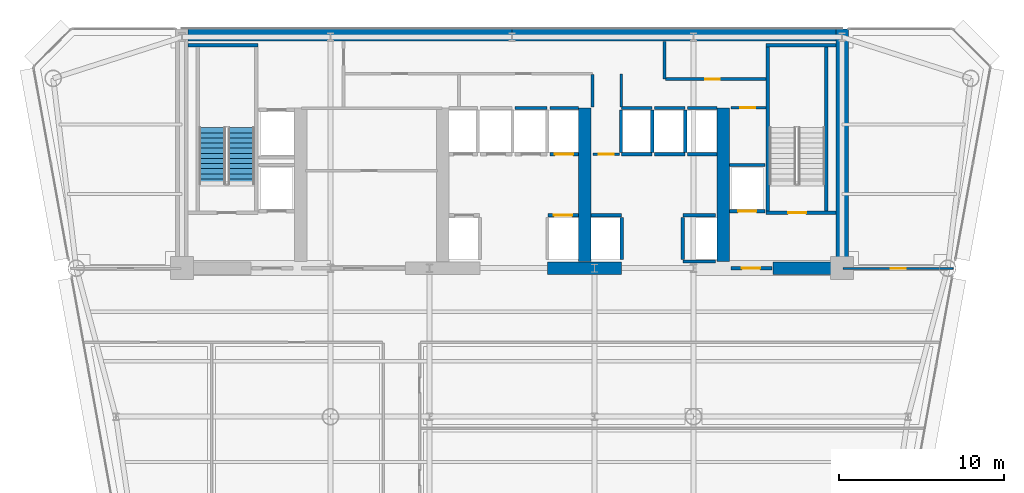
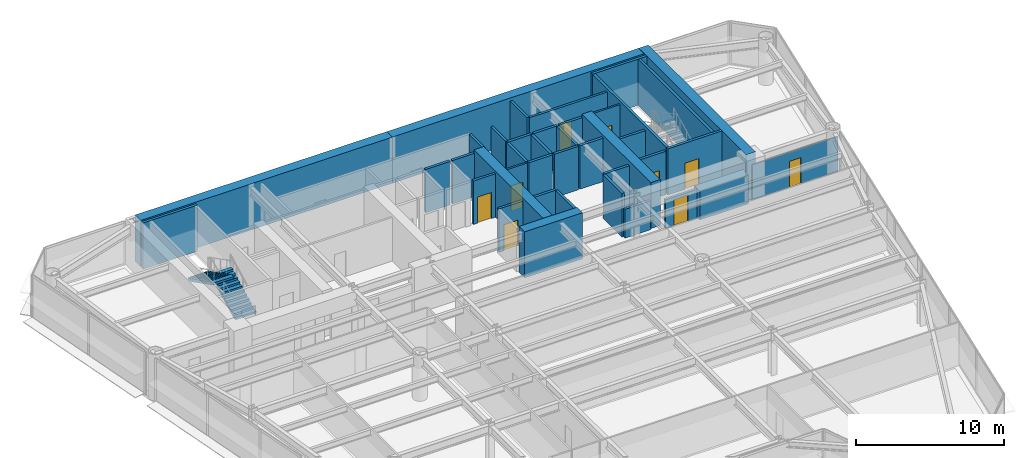
# One storey, part 9 of 14: 40 walls, 9 doors, 2 stair flights, 9 openings, 1 element without a shape of its own.
"""IFC4 building model written with IfcOpenShell, lengths in metres."""

from ifc_helpers import new_model, si_unit, direction, frame, frame_2d, origin, place, context, subcontext, project, spatial, polyline, rectangle, outline, extrude, source, transform, mapped, material, layer, layer_set, type_object, element, fill, aggregate, save


model = new_model("IFC4")

# Units and contexts
model_context = context("Model", 3, precision=1e-05, world=origin(), true_north=direction((0.0, 1.0)))
body_context = subcontext(model_context, "Body", "Model", "MODEL_VIEW")
ifc_project = project(units=[si_unit("LENGTHUNIT", "METRE"), si_unit("AREAUNIT", "SQUARE_METRE"), si_unit("VOLUMEUNIT", "CUBIC_METRE"), si_unit("PLANEANGLEUNIT", "RADIAN"), si_unit("MASSUNIT", "GRAM", prefix="KILO")], contexts=[model_context])

# Site, building, storey
site_placement = place(None, origin())
site = spatial("IfcSite", under=ifc_project, at=site_placement, CompositionType="ELEMENT")
building_placement = place(site_placement, origin())
building = spatial("IfcBuilding", under=site, at=building_placement, Name="Vaeldorn Concourse Tower", CompositionType="ELEMENT")
storey_placement = place(building_placement, frame((0.0, 0.0, 122.39990234375)))
storey = spatial("IfcBuildingStorey", under=building, at=storey_placement, Name="L31", CompositionType="ELEMENT", Elevation=122.39990234375)

# Walls
ifc_material_1 = material(Name="Concrete C60/75", Category="concrete")
ifc_layer_1 = layer(ifc_material_1, 0.75)
ifc_layer_set_1 = layer_set([ifc_layer_1], Name="Concrete C60/75")
wall_type_1 = type_object("IfcWallType", Name="WL-CORE-750", PredefinedType="SHEAR", material=ifc_layer_set_1)
for number, where, z_axis, x_axis, name in (
    (1, (14.37890625, 50.625, 0.0), (0.0, 0.0, 1.0), (1.0, 0.0, 0.0), "Rear Core Shear Wall L31 N1"),
    (2, (34.001953125, 50.625, 0.0), (0.0, 0.0, 1.0), (1.0, 0.0, 0.0), "Rear Core Shear Wall L31 N2"),
):
    element("IfcWall", number, at=place(storey_placement, frame(where, z_axis=z_axis, x_axis=x_axis)), inside=storey, type_object=wall_type_1, Name=name, PredefinedType="SHEAR", context=body_context, shape_type="SweptSolid", body=[
        extrude(rectangle(XDim=19.619140625, YDim=0.75, at=frame_2d((9.8095703125, 0.0))), origin(), (0.0, 0.0, 1.0), 3.800048828125),
    ])
wall_1_placement = place(storey_placement, frame((54.0, 36.5, 0.0), z_axis=(0.0, 0.0, 1.0), x_axis=(0.0, 1.0, 0.0)))
element("IfcWall", 3, at=wall_1_placement, inside=storey, type_object=wall_type_1, Name="Rear Core Shear Wall L31 E1", PredefinedType="SHEAR", context=body_context, shape_type="SweptSolid", body=[
    extrude(rectangle(XDim=14.5, YDim=0.75, at=frame_2d((7.25, 0.0))), origin(), (0.0, 0.0, 1.0), 3.800048828125),
])
wall_2_placement = place(storey_placement, frame((36.14990234375, 36.5, 0.0), z_axis=(0.0, 0.0, 1.0), x_axis=(1.0, 0.0, 0.0)))
element("IfcWall", 4, at=wall_2_placement, inside=storey, type_object=wall_type_1, Name="Rear Core Shear Wall L31 S3", PredefinedType="SHEAR", context=body_context, shape_type="SweptSolid", body=[
    extrude(rectangle(XDim=4.5, YDim=0.75, at=frame_2d((2.25, 0.0))), origin(), (0.0, 0.0, 1.0), 3.800048828125),
])
wall_3_placement = place(storey_placement, frame((49.800048828125, 36.5, 0.0), z_axis=(0.0, 0.0, 1.0), x_axis=(1.0, 0.0, 0.0)))
element("IfcWall", 5, at=wall_3_placement, inside=storey, type_object=wall_type_1, Name="Rear Core Shear Wall L31 S4", PredefinedType="SHEAR", context=body_context, shape_type="SweptSolid", body=[
    extrude(rectangle(XDim=3.804931640625, YDim=0.75, at=frame_2d((1.90234375, 0.0))), origin(), (0.0, 0.0, 1.0), 2.380126953125),
])
for number, where, z_axis, x_axis, name in (
    (6, (38.39990234375, 36.89501953125, 0.0), (0.0, 0.0, 1.0), (0.0, 1.0, 0.0), "Rear Core Shear Wall L31 M3"),
    (7, (46.800048828125, 36.89501953125, 0.0), (0.0, 0.0, 1.0), (0.0, 1.0, 0.0), "Rear Core Shear Wall L31 M4"),
):
    element("IfcWall", number, at=place(storey_placement, frame(where, z_axis=z_axis, x_axis=x_axis)), inside=storey, type_object=wall_type_1, Name=name, PredefinedType="SHEAR", context=body_context, shape_type="SweptSolid", body=[
        extrude(rectangle(XDim=9.304931640625, YDim=0.75, at=frame_2d((4.65234375, 0.0))), origin(), (0.0, 0.0, 1.0), 3.800048828125),
    ])

# Wall, opening, door
ifc_material_2 = material(Name="Gypsum Board Partition", Category="gypsum")
ifc_layer_2 = layer(ifc_material_2, 0.1201171875)
ifc_layer_set_2 = layer_set([ifc_layer_2], Name="Gypsum Board Partition")
wall_type_2 = type_object("IfcWallType", Name="WL-PART-120", PredefinedType="PARTITIONING", material=ifc_layer_set_2)
wall_4_placement = place(storey_placement, frame((54.06005859375, 36.47998046875, 0.0), z_axis=(0.0, 0.0, 1.0), x_axis=(1.0, 0.0, 0.0)))
wall_4 = element("IfcWall", 8, at=wall_4_placement, inside=storey, type_object=wall_type_2, Name="Interior Wall PW-L31-NES", PredefinedType="PARTITIONING", context=body_context, shape_type="SweptSolid", body=[
    extrude(rectangle(XDim=6.671875, YDim=0.1201171875, at=frame_2d((3.3359375, 0.0))), origin(), (0.0, 0.0, 1.0), 2.8701171875),
])
opening_1_placement = place(wall_4_placement, frame((2.885986328125, 0.0, 0.0)))
opening_1 = element("IfcOpeningElement", 9, at=opening_1_placement, cuts=wall_4, Name="Opening D-03", PredefinedType="OPENING", context=body_context, shape_type="SweptSolid", body=[
    extrude(rectangle(XDim=0.89990234375, YDim=2.14990234375, at=frame_2d((0.449951171875, 1.074951171875))), frame((0.0, 0.070068359375, 0.0), z_axis=(0.0, -1.0, 0.0), x_axis=(1.0, 0.0, 0.0)), (0.0, 0.0, 1.0), 0.14013671875),
])
ifc_material_3 = material(Name="Acoustic Bronze-Framed Glass Door", Category="glass")
door_type_1 = type_object("IfcDoorType", Name="DR-INT-900", OperationType="NOTDEFINED", PredefinedType="DOOR", material=ifc_material_3)
shared_shape_1 = source(origin(), body_context, "Body", "SweptSolid", [
    extrude(rectangle(XDim=0.89990234375, YDim=2.14990234375, at=frame_2d((0.449951171875, 1.074951171875))), frame((0.0, 0.02490234375, 0.0), z_axis=(0.0, -1.0, 0.0), x_axis=(1.0, 0.0, 0.0)), (0.0, 0.0, 1.0), 0.050048828125),
])
door_1_placement = place(opening_1_placement, origin())
door_1 = element("IfcDoor", 10, at=door_1_placement, inside=storey, type_object=door_type_1, Name="Interior Door DR-L31-NEC", OperationType="SINGLE_SWING_RIGHT", OverallHeight=2.14990234375, OverallWidth=0.89990234375, PredefinedType="DOOR", context=body_context, shape_type="MappedRepresentation", body=[
    mapped(shared_shape_1, transform((0.0, 0.0, 0.0), scale=1.0)),
])
fill(opening_1, door_1)

ifc_layer_3 = layer(ifc_material_2, 0.14990234375)
ifc_layer_set_3 = layer_set([ifc_layer_3], Name="Gypsum Board Partition")
wall_type_3 = type_object("IfcWallType", Name="WL-PART-150", PredefinedType="PARTITIONING", material=ifc_layer_set_3)
wall_5_placement = place(storey_placement, frame((47.280029296875, 46.219970703125, 0.0), z_axis=(0.0, 0.0, 1.0), x_axis=(1.0, 0.0, 0.0)))
wall_5 = element("IfcWall", 11, at=wall_5_placement, inside=storey, type_object=wall_type_3, Name="Interior Wall CW-L31-CRSE-N", PredefinedType="PARTITIONING", context=body_context, shape_type="SweptSolid", body=[
    extrude(rectangle(XDim=2.099853515625, YDim=0.14990234375, at=frame_2d((1.0498046875, 0.0))), origin(), (0.0, 0.0, 1.0), 3.580078125),
])
opening_2_placement = place(wall_5_placement, frame((0.550048828125, 0.0, 0.0)))
opening_2 = element("IfcOpeningElement", 12, at=opening_2_placement, cuts=wall_5, Name="Opening D-02", PredefinedType="OPENING", context=body_context, shape_type="SweptSolid", body=[
    extrude(rectangle(XDim=0.89990234375, YDim=2.10009765625, at=frame_2d((0.449951171875, 1.050048828125))), frame((0.0, 0.0849609375, 0.0), z_axis=(0.0, -1.0, 0.0), x_axis=(1.0, 0.0, 0.0)), (0.0, 0.0, 1.0), 0.169921875),
])
ifc_material_4 = material(Name="Fire-Rated Timber Leaf", Category="wood")
door_type_2 = type_object("IfcDoorType", Name="DR-FD30-900", OperationType="NOTDEFINED", PredefinedType="DOOR", material=ifc_material_4)
shared_shape_2 = source(origin(), body_context, "Body", "SweptSolid", [
    extrude(rectangle(XDim=0.89990234375, YDim=2.10009765625, at=frame_2d((0.449951171875, 1.050048828125))), frame((0.0, 0.02490234375, 0.0), z_axis=(0.0, -1.0, 0.0), x_axis=(1.0, 0.0, 0.0)), (0.0, 0.0, 1.0), 0.050048828125),
])
door_2_placement = place(opening_2_placement, origin())
door_2 = element("IfcDoor", 13, at=door_2_placement, inside=storey, type_object=door_type_2, Name="Interior Door DR-L31-CRSE", OperationType="SINGLE_SWING_RIGHT", OverallHeight=2.10009765625, OverallWidth=0.89990234375, PredefinedType="DOOR", context=body_context, shape_type="MappedRepresentation", body=[
    mapped(shared_shape_2, transform((0.0, 0.0, 0.0), scale=1.0)),
])
fill(opening_2, door_2)

wall_6_placement = place(storey_placement, frame((38.919921875, 43.39990234375, 0.0), z_axis=(0.0, 0.0, 1.0), x_axis=(1.0, 0.0, 0.0)))
wall_6 = element("IfcWall", 14, at=wall_6_placement, inside=storey, type_object=wall_type_3, Name="Interior Wall CW-L31-CCLINK", PredefinedType="PARTITIONING", context=body_context, shape_type="SweptSolid", body=[
    extrude(rectangle(XDim=1.60009765625, YDim=0.14990234375, at=frame_2d((0.800048828125, 0.0))), origin(), (0.0, 0.0, 1.0), 3.580078125),
])
opening_3_placement = place(wall_6_placement, frame((0.35009765625, 0.0, 0.0)))
opening_3 = element("IfcOpeningElement", 15, at=opening_3_placement, cuts=wall_6, Name="Opening D-02", PredefinedType="OPENING", context=body_context, shape_type="SweptSolid", body=[
    extrude(rectangle(XDim=0.89990234375, YDim=2.10009765625, at=frame_2d((0.449951171875, 1.050048828125))), frame((0.0, 0.0849609375, 0.0), z_axis=(0.0, -1.0, 0.0), x_axis=(1.0, 0.0, 0.0)), (0.0, 0.0, 1.0), 0.169921875),
])
door_3_placement = place(opening_3_placement, origin())
door_3 = element("IfcDoor", 16, at=door_3_placement, inside=storey, type_object=door_type_2, Name="Interior Door DR-L31-CCLINK", OperationType="SINGLE_SWING_LEFT", OverallHeight=2.10009765625, OverallWidth=0.89990234375, PredefinedType="DOOR", context=body_context, shape_type="MappedRepresentation", body=[
    mapped(shared_shape_2, transform((0.0, 0.0, 0.0), scale=1.0)),
])
fill(opening_3, door_3)

# Walls
ifc_layer_4 = layer(ifc_material_2, 0.179931640625)
ifc_layer_set_4 = layer_set([ifc_layer_4], Name="Gypsum Board Partition")
wall_type_4 = type_object("IfcWallType", Name="WL-PLUMB-180", PredefinedType="PLUMBINGWALL", material=ifc_layer_set_4)
wall_7_placement = place(storey_placement, frame((38.8798828125, 46.280029296875, 0.0), z_axis=(0.0, 0.0, 1.0), x_axis=(0.0, 1.0, 0.0)))
element("IfcWall", 17, at=wall_7_placement, inside=storey, type_object=wall_type_4, Name="Interior Wall CW-L31-SDIV4", PredefinedType="PLUMBINGWALL", context=body_context, shape_type="SweptSolid", body=[
    extrude(rectangle(XDim=1.93994140625, YDim=0.179931640625, at=frame_2d((0.969970703125, 0.0))), origin(), (0.0, 0.0, 1.0), 3.580078125),
])
wall_8_placement = place(storey_placement, frame((40.6201171875, 46.280029296875, 0.0), z_axis=(0.0, 0.0, 1.0), x_axis=(0.0, 1.0, 0.0)))
element("IfcWall", 18, at=wall_8_placement, inside=storey, type_object=wall_type_4, Name="Interior Wall CW-L31-SDIV5", PredefinedType="PLUMBINGWALL", context=body_context, shape_type="SweptSolid", body=[
    extrude(rectangle(XDim=2.0, YDim=0.179931640625, at=frame_2d((1.0, 0.0))), origin(), (0.0, 0.0, 1.0), 3.580078125),
])
wall_9_placement = place(storey_placement, frame((43.25, 47.949951171875, 0.0), z_axis=(0.0, 0.0, 1.0), x_axis=(0.0, 1.0, 0.0)))
element("IfcWall", 19, at=wall_9_placement, inside=storey, type_object=wall_type_4, Name="Interior Wall CW-L31-SDIV6", PredefinedType="PLUMBINGWALL", context=body_context, shape_type="SweptSolid", body=[
    extrude(rectangle(XDim=2.280029296875, YDim=0.179931640625, at=frame_2d((1.14013671875, 0.0))), origin(), (0.0, 0.0, 1.0), 3.580078125),
])

# Wall, opening, door
wall_10_placement = place(storey_placement, frame((43.300048828125, 47.949951171875, 0.0), z_axis=(0.0, 0.0, 1.0), x_axis=(1.0, 0.0, 0.0)))
wall_10 = element("IfcWall", 20, at=wall_10_placement, inside=storey, type_object=wall_type_4, Name="Interior Wall CW-L31-NS2EE", PredefinedType="PLUMBINGWALL", context=body_context, shape_type="SweptSolid", body=[
    extrude(rectangle(XDim=6.079833984375, YDim=0.179931640625, at=frame_2d((3.0400390625, 0.0))), origin(), (0.0, 0.0, 1.0), 3.580078125),
])
opening_4_placement = place(wall_10_placement, frame((2.39990234375, 0.0, 0.0)))
opening_4 = element("IfcOpeningElement", 21, at=opening_4_placement, cuts=wall_10, Name="Opening D-03", PredefinedType="OPENING", context=body_context, shape_type="SweptSolid", body=[
    extrude(rectangle(XDim=0.89990234375, YDim=2.14990234375, at=frame_2d((0.449951171875, 1.074951171875))), frame((0.0, 0.10009765625, 0.0), z_axis=(0.0, -1.0, 0.0), x_axis=(1.0, 0.0, 0.0)), (0.0, 0.0, 1.0), 0.199951171875),
])
door_4_placement = place(opening_4_placement, origin())
door_4 = element("IfcDoor", 22, at=door_4_placement, inside=storey, type_object=door_type_1, Name="Interior Door DR-L31-CS5", OperationType="SINGLE_SWING_RIGHT", OverallHeight=2.14990234375, OverallWidth=0.89990234375, PredefinedType="DOOR", context=body_context, shape_type="MappedRepresentation", body=[
    mapped(shared_shape_1, transform((0.0, 0.0, 0.0), scale=1.0)),
])
fill(opening_4, door_4)

# Wall
ifc_material_5 = material(Name="Concrete C50/60", Category="concrete")
ifc_layer_5 = layer(ifc_material_5, 0.199951171875)
ifc_layer_set_5 = layer_set([ifc_layer_5], Name="Concrete C50/60")
wall_type_5 = type_object("IfcWallType", Name="WL-SHAFT-200", PredefinedType="SOLIDWALL", material=ifc_layer_set_5)
wall_11_placement = place(storey_placement, frame((14.375, 50.0, 0.0), z_axis=(0.0, 0.0, 1.0), x_axis=(1.0, 0.0, 0.0)))
element("IfcWall", 23, at=wall_11_placement, inside=storey, type_object=wall_type_5, Name="Stair Shaft Wall CW-L31-ST-1-N", PredefinedType="SOLIDWALL", context=body_context, shape_type="SweptSolid", body=[
    extrude(rectangle(XDim=4.22509765625, YDim=0.199951171875, at=frame_2d((2.112548828125, 0.0))), origin(), (0.0, 0.0, 1.0), 3.800048828125),
])

# Wall, opening, door
wall_12_placement = place(storey_placement, frame((49.39990234375, 39.85009765625, 0.0), z_axis=(0.0, 0.0, 1.0), x_axis=(1.0, 0.0, 0.0)))
wall_12 = element("IfcWall", 24, at=wall_12_placement, inside=storey, type_object=wall_type_5, Name="Stair Shaft Wall CW-L31-ST-2-S", PredefinedType="SOLIDWALL", context=body_context, shape_type="SweptSolid", body=[
    extrude(rectangle(XDim=4.22509765625, YDim=0.199951171875, at=frame_2d((2.112548828125, 0.0))), origin(), (0.0, 0.0, 1.0), 3.800048828125),
])
opening_5_placement = place(wall_12_placement, frame((1.324951171875, 0.0, 0.0)))
opening_5 = element("IfcOpeningElement", 25, at=opening_5_placement, cuts=wall_12, Name="Opening D-01", PredefinedType="OPENING", context=body_context, shape_type="SweptSolid", body=[
    extrude(rectangle(XDim=1.10009765625, YDim=2.14990234375, at=frame_2d((0.550048828125, 1.074951171875))), frame((0.0, 0.10986328125, 0.0), z_axis=(0.0, -1.0, 0.0), x_axis=(1.0, 0.0, 0.0)), (0.0, 0.0, 1.0), 0.219970703125),
])
ifc_material_6 = material(Name="Fire-Rated Timber and Steel Leaf", Category="steel")
door_type_3 = type_object("IfcDoorType", Name="DR-FD60-1100", OperationType="NOTDEFINED", PredefinedType="DOOR", material=ifc_material_6)
shared_shape_3 = source(origin(), body_context, "Body", "SweptSolid", [
    extrude(rectangle(XDim=1.10009765625, YDim=2.14990234375, at=frame_2d((0.550048828125, 1.074951171875))), frame((0.0, 0.02490234375, 0.0), z_axis=(0.0, -1.0, 0.0), x_axis=(1.0, 0.0, 0.0)), (0.0, 0.0, 1.0), 0.050048828125),
])
door_5_placement = place(opening_5_placement, origin())
door_5 = element("IfcDoor", 26, at=door_5_placement, inside=storey, type_object=door_type_3, Name="Interior Door DR-L31-ST-2", OperationType="SINGLE_SWING_RIGHT", OverallHeight=2.14990234375, OverallWidth=1.10009765625, PredefinedType="DOOR", context=body_context, shape_type="MappedRepresentation", body=[
    mapped(shared_shape_3, transform((0.0, 0.0, 0.0), scale=1.0)),
])
fill(opening_5, door_5)

# Walls
wall_13_placement = place(storey_placement, frame((49.39990234375, 50.0, 0.0), z_axis=(0.0, 0.0, 1.0), x_axis=(1.0, 0.0, 0.0)))
element("IfcWall", 27, at=wall_13_placement, inside=storey, type_object=wall_type_5, Name="Stair Shaft Wall CW-L31-ST-2-N", PredefinedType="SOLIDWALL", context=body_context, shape_type="SweptSolid", body=[
    extrude(rectangle(XDim=4.22509765625, YDim=0.199951171875, at=frame_2d((2.112548828125, 0.0))), origin(), (0.0, 0.0, 1.0), 3.800048828125),
])
for number, where, z_axis, x_axis, name in (
    (28, (49.5, 39.9599609375, 0.0), (0.0, 0.0, 1.0), (0.0, 1.0, 0.0), "Stair Shaft Wall CW-L31-ST-2-W"),
    (29, (53.050048828125, 39.9599609375, 0.0), (0.0, 0.0, 1.0), (0.0, 1.0, 0.0), "Stair Shaft Wall CW-L31-ST-2-E"),
):
    element("IfcWall", number, at=place(storey_placement, frame(where, z_axis=z_axis, x_axis=x_axis)), inside=storey, type_object=wall_type_5, Name=name, PredefinedType="SOLIDWALL", context=body_context, shape_type="SweptSolid", body=[
        extrude(rectangle(XDim=9.929931640625, YDim=0.199951171875, at=frame_2d((4.96484375, 0.0))), origin(), (0.0, 0.0, 1.0), 3.800048828125),
    ])

# Wall, opening, door
wall_14_placement = place(storey_placement, frame((47.280029296875, 36.5, 0.0), z_axis=(0.0, 0.0, 1.0), x_axis=(1.0, 0.0, 0.0)))
wall_14 = element("IfcWall", 30, at=wall_14_placement, inside=storey, type_object=wall_type_5, Name="Interior Wall CW-L31-FF2S", PredefinedType="SOLIDWALL", context=body_context, shape_type="SweptSolid", body=[
    extrude(rectangle(XDim=2.469970703125, YDim=0.199951171875, at=frame_2d((1.23486328125, 0.0))), origin(), (0.0, 0.0, 1.0), 2.3701171875),
])
opening_6_placement = place(wall_14_placement, frame((0.64990234375, 0.0, 0.0)))
opening_6 = element("IfcOpeningElement", 31, at=opening_6_placement, cuts=wall_14, Name="Opening D-01", PredefinedType="OPENING", context=body_context, shape_type="SweptSolid", body=[
    extrude(rectangle(XDim=1.10009765625, YDim=2.14990234375, at=frame_2d((0.550048828125, 1.074951171875))), frame((0.0, 0.10986328125, 0.0), z_axis=(0.0, -1.0, 0.0), x_axis=(1.0, 0.0, 0.0)), (0.0, 0.0, 1.0), 0.219970703125),
])
door_6_placement = place(opening_6_placement, origin())
door_6 = element("IfcDoor", 32, at=door_6_placement, inside=storey, type_object=door_type_3, Name="Interior Door DR-L31-FF2W", OperationType="SINGLE_SWING_LEFT", OverallHeight=2.14990234375, OverallWidth=1.10009765625, PredefinedType="DOOR", context=body_context, shape_type="MappedRepresentation", body=[
    mapped(shared_shape_3, transform((0.0, 0.0, 0.0), scale=1.0)),
])
fill(opening_6, door_6)

wall_15_placement = place(storey_placement, frame((36.169921875, 39.699951171875, 0.0), z_axis=(0.0, 0.0, 1.0), x_axis=(1.0, 0.0, 0.0)))
wall_15 = element("IfcWall", 33, at=wall_15_placement, inside=storey, type_object=wall_type_5, Name="Interior Wall CW-L31-LF-LF-08", PredefinedType="SOLIDWALL", context=body_context, shape_type="SweptSolid", body=[
    extrude(rectangle(XDim=1.844970703125, YDim=0.199951171875, at=frame_2d((0.92236328125, 0.0))), origin(), (0.0, 0.0, 1.0), 3.580078125),
])
opening_7_placement = place(wall_15_placement, frame((0.3720703125, 0.0, 0.0)))
opening_7 = element("IfcOpeningElement", 34, at=opening_7_placement, cuts=wall_15, Name="Opening LD-1", PredefinedType="OPENING", context=body_context, shape_type="SweptSolid", body=[
    extrude(rectangle(XDim=1.10009765625, YDim=2.14990234375, at=frame_2d((0.550048828125, 1.074951171875))), frame((0.0, 0.10986328125, 0.0), z_axis=(0.0, -1.0, 0.0), x_axis=(1.0, 0.0, 0.0)), (0.0, 0.0, 1.0), 0.219970703125),
])
ifc_material_7 = material(Name="Anodised Bronze Aluminium", Category="aluminium")
door_type_4 = type_object("IfcDoorType", Name="DR-LIFT-SLIDE-1100", OperationType="DOUBLE_DOOR_SLIDING", PredefinedType="DOOR", material=ifc_material_7)
door_7_placement = place(opening_7_placement, origin())
door_7 = element("IfcDoor", 35, at=door_7_placement, inside=storey, type_object=door_type_4, Name="Lift Landing Door LD-L31-LF-08", OperationType="DOUBLE_DOOR_SLIDING", OverallHeight=2.14990234375, OverallWidth=1.10009765625, PredefinedType="DOOR", context=body_context, shape_type="MappedRepresentation", body=[
    mapped(shared_shape_3, transform((0.0, 0.0, 0.0), scale=1.0)),
])
fill(opening_7, door_7)

# Wall
wall_16_placement = place(storey_placement, frame((34.18994140625, 46.199951171875, 0.0), z_axis=(0.0, 0.0, 1.0), x_axis=(1.0, 0.0, 0.0)))
element("IfcWall", 36, at=wall_16_placement, inside=storey, type_object=wall_type_5, Name="Interior Wall CW-L31-LFB-LF-11", PredefinedType="SOLIDWALL", context=body_context, shape_type="SweptSolid", body=[
    extrude(rectangle(XDim=1.920166015625, YDim=0.199951171875, at=frame_2d((0.9599609375, 0.0))), origin(), (0.0, 0.0, 1.0), 3.580078125),
])

# Wall, opening, door
wall_17_placement = place(storey_placement, frame((36.2900390625, 43.39990234375, 0.0), z_axis=(0.0, 0.0, 1.0), x_axis=(1.0, 0.0, 0.0)))
wall_17 = element("IfcWall", 37, at=wall_17_placement, inside=storey, type_object=wall_type_5, Name="Interior Wall CW-L31-LF-LF-12", PredefinedType="SOLIDWALL", context=body_context, shape_type="SweptSolid", body=[
    extrude(rectangle(XDim=1.724853515625, YDim=0.199951171875, at=frame_2d((0.8623046875, 0.0))), origin(), (0.0, 0.0, 1.0), 3.580078125),
])
opening_8_placement = place(wall_17_placement, frame((0.31298828125, 0.0, 0.0)))
opening_8 = element("IfcOpeningElement", 38, at=opening_8_placement, cuts=wall_17, Name="Opening LD-1", PredefinedType="OPENING", context=body_context, shape_type="SweptSolid", body=[
    extrude(rectangle(XDim=1.10009765625, YDim=2.14990234375, at=frame_2d((0.550048828125, 1.074951171875))), frame((0.0, 0.10986328125, 0.0), z_axis=(0.0, -1.0, 0.0), x_axis=(1.0, 0.0, 0.0)), (0.0, 0.0, 1.0), 0.219970703125),
])
door_8_placement = place(opening_8_placement, origin())
door_8 = element("IfcDoor", 39, at=door_8_placement, inside=storey, type_object=door_type_4, Name="Lift Landing Door LD-L31-LF-12", OperationType="DOUBLE_DOOR_SLIDING", OverallHeight=2.14990234375, OverallWidth=1.10009765625, PredefinedType="DOOR", context=body_context, shape_type="MappedRepresentation", body=[
    mapped(shared_shape_3, transform((0.0, 0.0, 0.0), scale=1.0)),
])
fill(opening_8, door_8)

# Walls
wall_18_placement = place(storey_placement, frame((36.2900390625, 46.199951171875, 0.0), z_axis=(0.0, 0.0, 1.0), x_axis=(1.0, 0.0, 0.0)))
element("IfcWall", 40, at=wall_18_placement, inside=storey, type_object=wall_type_5, Name="Interior Wall CW-L31-LFB-LF-12", PredefinedType="SOLIDWALL", context=body_context, shape_type="SweptSolid", body=[
    extrude(rectangle(XDim=1.724853515625, YDim=0.199951171875, at=frame_2d((0.8623046875, 0.0))), origin(), (0.0, 0.0, 1.0), 3.580078125),
])
wall_19_placement = place(storey_placement, frame((38.784912109375, 39.699951171875, 0.0), z_axis=(0.0, 0.0, 1.0), x_axis=(1.0, 0.0, 0.0)))
element("IfcWall", 41, at=wall_19_placement, inside=storey, type_object=wall_type_5, Name="Interior Wall CW-L31-LF-LF-13", PredefinedType="SOLIDWALL", context=body_context, shape_type="SweptSolid", body=[
    extrude(rectangle(XDim=1.844970703125, YDim=0.199951171875, at=frame_2d((0.92236328125, 0.0))), origin(), (0.0, 0.0, 1.0), 3.580078125),
])
wall_20_placement = place(storey_placement, frame((40.64990234375, 37.02001953125, 0.0), z_axis=(0.0, 0.0, 1.0), x_axis=(0.0, 1.0, 0.0)))
element("IfcWall", 42, at=wall_20_placement, inside=storey, type_object=wall_type_5, Name="Interior Wall CW-L31-LFE-LF-13", PredefinedType="SOLIDWALL", context=body_context, shape_type="SweptSolid", body=[
    extrude(rectangle(XDim=2.56005859375, YDim=0.199951171875, at=frame_2d((1.280029296875, 0.0))), origin(), (0.0, 0.0, 1.0), 3.580078125),
])
wall_21_placement = place(storey_placement, frame((44.3701171875, 39.699951171875, 0.0), z_axis=(0.0, 0.0, 1.0), x_axis=(1.0, 0.0, 0.0)))
element("IfcWall", 43, at=wall_21_placement, inside=storey, type_object=wall_type_5, Name="Interior Wall CW-L31-LF-LF-14", PredefinedType="SOLIDWALL", context=body_context, shape_type="SweptSolid", body=[
    extrude(rectangle(XDim=1.9599609375, YDim=0.199951171875, at=frame_2d((0.97998046875, 0.0))), origin(), (0.0, 0.0, 1.0), 3.580078125),
])
wall_22_placement = place(storey_placement, frame((44.3701171875, 36.89990234375, 0.0), z_axis=(0.0, 0.0, 1.0), x_axis=(1.0, 0.0, 0.0)))
element("IfcWall", 44, at=wall_22_placement, inside=storey, type_object=wall_type_5, Name="Interior Wall CW-L31-LFB-LF-14", PredefinedType="SOLIDWALL", context=body_context, shape_type="SweptSolid", body=[
    extrude(rectangle(XDim=1.9599609375, YDim=0.199951171875, at=frame_2d((0.97998046875, 0.0))), origin(), (0.0, 0.0, 1.0), 2.3701171875),
])
wall_23_placement = place(storey_placement, frame((44.35009765625, 37.02001953125, 0.0), z_axis=(0.0, 0.0, 1.0), x_axis=(0.0, 1.0, 0.0)))
element("IfcWall", 45, at=wall_23_placement, inside=storey, type_object=wall_type_5, Name="Interior Wall CW-L31-LFW-LF-14", PredefinedType="SOLIDWALL", context=body_context, shape_type="SweptSolid", body=[
    extrude(rectangle(XDim=2.56005859375, YDim=0.199951171875, at=frame_2d((1.280029296875, 0.0))), origin(), (0.0, 0.0, 1.0), 3.580078125),
])
for number, where, z_axis, x_axis, name in (
    (46, (40.6201171875, 43.39990234375, 0.0), (0.0, 0.0, 1.0), (1.0, 0.0, 0.0), "Interior Wall CW-L31-LF-LF-15"),
    (47, (40.6201171875, 46.199951171875, 0.0), (0.0, 0.0, 1.0), (1.0, 0.0, 0.0), "Interior Wall CW-L31-LFB-LF-15"),
):
    element("IfcWall", number, at=place(storey_placement, frame(where, z_axis=z_axis, x_axis=x_axis)), inside=storey, type_object=wall_type_5, Name=name, PredefinedType="SOLIDWALL", context=body_context, shape_type="SweptSolid", body=[
        extrude(rectangle(XDim=1.85986328125, YDim=0.199951171875, at=frame_2d((0.929931640625, 0.0))), origin(), (0.0, 0.0, 1.0), 3.580078125),
    ])
for number, where, z_axis, x_axis, name in (
    (48, (40.60009765625, 43.52001953125, 0.0), (0.0, 0.0, 1.0), (0.0, 1.0, 0.0), "Interior Wall CW-L31-LFW-LF-15"),
    (49, (42.5, 43.52001953125, 0.0), (0.0, 0.0, 1.0), (0.0, 1.0, 0.0), "Interior Wall CW-L31-LFE-LF-15"),
):
    element("IfcWall", number, at=place(storey_placement, frame(where, z_axis=z_axis, x_axis=x_axis)), inside=storey, type_object=wall_type_5, Name=name, PredefinedType="SOLIDWALL", context=body_context, shape_type="SweptSolid", body=[
        extrude(rectangle(XDim=2.56005859375, YDim=0.199951171875, at=frame_2d((1.280029296875, 0.0))), origin(), (0.0, 0.0, 1.0), 3.580078125),
    ])
for number, where, z_axis, x_axis, name in (
    (50, (42.6201171875, 43.39990234375, 0.0), (0.0, 0.0, 1.0), (1.0, 0.0, 0.0), "Interior Wall CW-L31-LF-LF-16"),
    (51, (42.6201171875, 46.199951171875, 0.0), (0.0, 0.0, 1.0), (1.0, 0.0, 0.0), "Interior Wall CW-L31-LFB-LF-16"),
):
    element("IfcWall", number, at=place(storey_placement, frame(where, z_axis=z_axis, x_axis=x_axis)), inside=storey, type_object=wall_type_5, Name=name, PredefinedType="SOLIDWALL", context=body_context, shape_type="SweptSolid", body=[
        extrude(rectangle(XDim=1.85986328125, YDim=0.199951171875, at=frame_2d((0.929931640625, 0.0))), origin(), (0.0, 0.0, 1.0), 3.580078125),
    ])
wall_24_placement = place(storey_placement, frame((44.5, 43.52001953125, 0.0), z_axis=(0.0, 0.0, 1.0), x_axis=(0.0, 1.0, 0.0)))
element("IfcWall", 52, at=wall_24_placement, inside=storey, type_object=wall_type_5, Name="Interior Wall CW-L31-LFE-LF-16", PredefinedType="SOLIDWALL", context=body_context, shape_type="SweptSolid", body=[
    extrude(rectangle(XDim=2.56005859375, YDim=0.199951171875, at=frame_2d((1.280029296875, 0.0))), origin(), (0.0, 0.0, 1.0), 3.580078125),
])
for number, where, z_axis, x_axis, name in (
    (53, (44.6201171875, 43.39990234375, 0.0), (0.0, 0.0, 1.0), (1.0, 0.0, 0.0), "Interior Wall CW-L31-LF-LF-17"),
    (54, (44.6201171875, 46.199951171875, 0.0), (0.0, 0.0, 1.0), (1.0, 0.0, 0.0), "Interior Wall CW-L31-LFB-LF-17"),
):
    element("IfcWall", number, at=place(storey_placement, frame(where, z_axis=z_axis, x_axis=x_axis)), inside=storey, type_object=wall_type_5, Name=name, PredefinedType="SOLIDWALL", context=body_context, shape_type="SweptSolid", body=[
        extrude(rectangle(XDim=1.794921875, YDim=0.199951171875, at=frame_2d((0.8974609375, 0.0))), origin(), (0.0, 0.0, 1.0), 3.580078125),
    ])

# Wall, opening, door
wall_25_placement = place(storey_placement, frame((47.18505859375, 39.949951171875, 0.0), z_axis=(0.0, 0.0, 1.0), x_axis=(1.0, 0.0, 0.0)))
wall_25 = element("IfcWall", 55, at=wall_25_placement, inside=storey, type_object=wall_type_5, Name="Interior Wall CW-L31-LF-LF-FF2", PredefinedType="SOLIDWALL", context=body_context, shape_type="SweptSolid", body=[
    extrude(rectangle(XDim=2.14501953125, YDim=0.199951171875, at=frame_2d((1.072509765625, 0.0))), origin(), (0.0, 0.0, 1.0), 3.580078125),
])
opening_9_placement = place(wall_25_placement, frame((0.52197265625, 0.0, 0.0)))
opening_9 = element("IfcOpeningElement", 56, at=opening_9_placement, cuts=wall_25, Name="Opening LD-1", PredefinedType="OPENING", context=body_context, shape_type="SweptSolid", body=[
    extrude(rectangle(XDim=1.10009765625, YDim=2.14990234375, at=frame_2d((0.550048828125, 1.074951171875))), frame((0.0, 0.10986328125, 0.0), z_axis=(0.0, -1.0, 0.0), x_axis=(1.0, 0.0, 0.0)), (0.0, 0.0, 1.0), 0.219970703125),
])
door_9_placement = place(opening_9_placement, origin())
door_9 = element("IfcDoor", 57, at=door_9_placement, inside=storey, type_object=door_type_4, Name="Lift Landing Door LD-L31-LF-FF2", OperationType="DOUBLE_DOOR_SLIDING", OverallHeight=2.14990234375, OverallWidth=1.10009765625, PredefinedType="DOOR", context=body_context, shape_type="MappedRepresentation", body=[
    mapped(shared_shape_3, transform((0.0, 0.0, 0.0), scale=1.0)),
])
fill(opening_9, door_9)

# Wall
wall_26_placement = place(storey_placement, frame((47.18505859375, 42.75, 0.0), z_axis=(0.0, 0.0, 1.0), x_axis=(1.0, 0.0, 0.0)))
element("IfcWall", 58, at=wall_26_placement, inside=storey, type_object=wall_type_5, Name="Interior Wall CW-L31-LFB-LF-FF2", PredefinedType="SOLIDWALL", context=body_context, shape_type="SweptSolid", body=[
    extrude(rectangle(XDim=2.14501953125, YDim=0.199951171875, at=frame_2d((1.072509765625, 0.0))), origin(), (0.0, 0.0, 1.0), 3.580078125),
])

# Stair, stair flights
ifc_material_8 = material(Name="Precast concrete C40/50", Category="concrete")
stair_type = type_object("IfcStairType", Name="STR-DOG-24x158", PredefinedType="HALF_TURN_STAIR", material=ifc_material_8)
stair_placement = place(storey_placement, origin())
stair = element("IfcStair", 59, at=stair_placement, inside=storey, type_object=stair_type, Name="L31 West Core Exit Stair ST-1", PredefinedType="HALF_TURN_STAIR")
stair_flight_type = type_object("IfcStairFlightType", Name="STF-STR-12x158", PredefinedType="STRAIGHT", material=ifc_material_8)
stair_flight_1_placement = place(storey_placement, frame((17.60009765625, 41.60009765625, 0.0), z_axis=(0.0, 0.0, 1.0), x_axis=(0.0, 1.0, 0.0)))
stair_flight_1 = element("IfcStairFlight", 60, at=stair_flight_1_placement, type_object=stair_flight_type, Name="ST-1 flight 1", NumberOfRisers=12, NumberOfTreads=11, PredefinedType="STRAIGHT", RiserHeight=0.158333333, TreadLength=0.31, context=body_context, shape_type="SweptSolid", body=[
    extrude(outline(polyline([(0.0, 0.0), (0.0, 0.158447265625), (0.31005859375, 0.158447265625), (0.31005859375, 0.316650390625), (0.6201171875, 0.316650390625), (0.6201171875, 0.47509765625), (0.929931640625, 0.47509765625), (0.929931640625, 0.63330078125), (1.239990234375, 0.63330078125), (1.239990234375, 0.791748046875), (1.550048828125, 0.791748046875), (1.550048828125, 0.949951171875), (1.860107421875, 0.949951171875), (1.860107421875, 1.1083984375), (2.169921875, 1.1083984375), (2.169921875, 1.2666015625), (2.47998046875, 1.2666015625), (2.47998046875, 1.425048828125), (2.7900390625, 1.425048828125), (2.7900390625, 1.583251953125), (3.10009765625, 1.583251953125), (3.10009765625, 1.74169921875), (3.409912109375, 1.74169921875), (3.409912109375, 1.89990234375), (3.409912109375, 1.5732421875), (0.32958984375, 0.0), (0.0, 0.0)])), frame((0.0, 0.800048828125, 0.0), z_axis=(0.0, -1.0, 0.0), x_axis=(1.0, 0.0, 0.0)), (0.0, 0.0, 1.0), 1.60009765625),
])
stair_flight_2_placement = place(storey_placement, frame((15.85009765625, 45.010009765625, 1.900146484375), z_axis=(0.0, 0.0, 1.0), x_axis=(0.0, -1.0, 0.0)))
stair_flight_2 = element("IfcStairFlight", 61, at=stair_flight_2_placement, type_object=stair_flight_type, Name="ST-1 flight 2", NumberOfRisers=12, NumberOfTreads=11, PredefinedType="STRAIGHT", RiserHeight=0.158333333, TreadLength=0.31, context=body_context, shape_type="SweptSolid", body=[
    extrude(outline(polyline([(0.0, 0.0), (0.0, 0.158447265625), (0.31005859375, 0.158447265625), (0.31005859375, 0.316650390625), (0.6201171875, 0.316650390625), (0.6201171875, 0.47509765625), (0.929931640625, 0.47509765625), (0.929931640625, 0.63330078125), (1.239990234375, 0.63330078125), (1.239990234375, 0.791748046875), (1.550048828125, 0.791748046875), (1.550048828125, 0.949951171875), (1.860107421875, 0.949951171875), (1.860107421875, 1.1083984375), (2.169921875, 1.1083984375), (2.169921875, 1.2666015625), (2.47998046875, 1.2666015625), (2.47998046875, 1.425048828125), (2.7900390625, 1.425048828125), (2.7900390625, 1.583251953125), (3.10009765625, 1.583251953125), (3.10009765625, 1.74169921875), (3.409912109375, 1.74169921875), (3.409912109375, 1.89990234375), (3.409912109375, 1.5732421875), (0.32958984375, 0.0), (0.0, 0.0)])), frame((0.0, 0.800048828125, 0.0), z_axis=(0.0, -1.0, 0.0), x_axis=(1.0, 0.0, 0.0)), (0.0, 0.0, 1.0), 1.60009765625),
])
aggregate(stair, [stair_flight_1, stair_flight_2])

save(model, "model.ifc")
